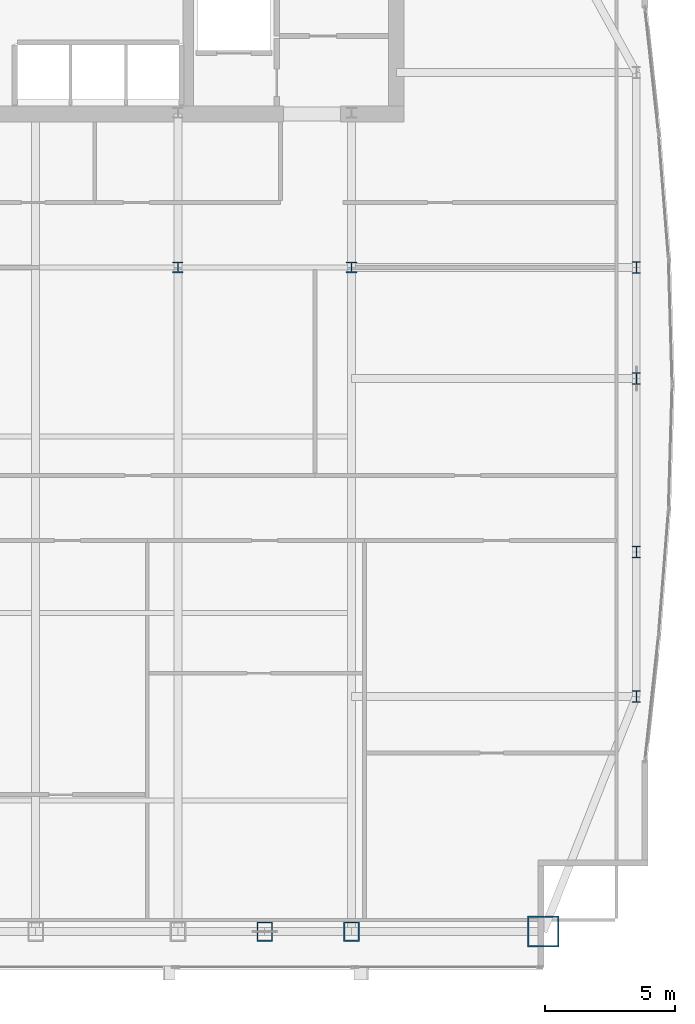
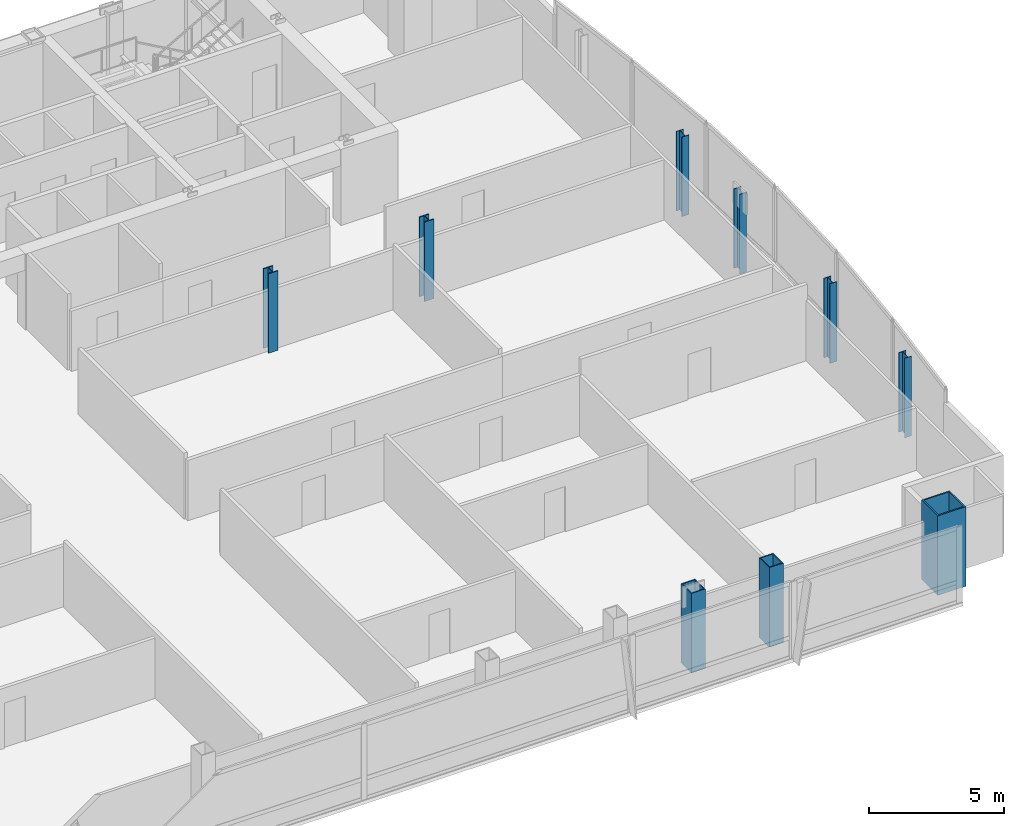
# One storey, part 2 of 32: 9 columns.
"""IFC4 building model written with IfcOpenShell, lengths in metres."""

from ifc_helpers import new_model, si_unit, direction, frame, origin, origin_2d, place, context, subcontext, project, spatial, hollow_rectangle, i_section, extrude, material, material_profile, profile_set, type_object, element, save


model = new_model("IFC4")

# Units and contexts
model_context = context("Model", 3, precision=1e-05, world=origin(), true_north=direction((0.0, 1.0)))
body_context = subcontext(model_context, "Body", "Model", "MODEL_VIEW")
ifc_project = project(units=[si_unit("LENGTHUNIT", "METRE"), si_unit("AREAUNIT", "SQUARE_METRE"), si_unit("VOLUMEUNIT", "CUBIC_METRE"), si_unit("PLANEANGLEUNIT", "RADIAN"), si_unit("MASSUNIT", "GRAM", prefix="KILO")], contexts=[model_context])

# Site, building, storey
site_placement = place(None, origin())
site = spatial("IfcSite", under=ifc_project, at=site_placement, CompositionType="ELEMENT")
building_placement = place(site_placement, origin())
building = spatial("IfcBuilding", under=site, at=building_placement, Name="Khoronbel Lancet Exchange", CompositionType="ELEMENT")
storey_placement = place(building_placement, frame((0.0, 0.0, 195.800048828125)))
storey = spatial("IfcBuildingStorey", under=building, at=storey_placement, Name="L49", CompositionType="ELEMENT", Elevation=195.800048828125)

# Columns
ifc_material_1 = material(Name="Steel S460", Category="steel")
ifc_material_profile_1 = material_profile(ifc_material_1, hollow_rectangle(XDim=0.60009765625, YDim=0.75, WallThickness=0.044921875, at=origin_2d()), Name="BOX 750x600x45")
ifc_profile_set_1 = profile_set([ifc_material_profile_1], Name="Steel S460")
column_type_1 = type_object("IfcColumnType", Name="COL-EC3", PredefinedType="COLUMN", material=ifc_profile_set_1)
for number, where, z_axis, x_axis, name in (
    (1, (51.33740234375, 10.14990234375, 0.0), (0.0, 0.0, 1.0), (1.0, 0.0, 0.0), "Structural column SC-EM L49"),
    (2, (54.675048828125, 10.14990234375, 0.0), (0.0, 0.0, 1.0), (1.0, 0.0, 0.0), "Structural column SC-E2 L49"),
):
    element("IfcColumn", number, at=place(storey_placement, frame(where, z_axis=z_axis, x_axis=x_axis)), inside=storey, type_object=column_type_1, Name=name, PredefinedType="COLUMN", context=body_context, shape_type="SweptSolid", body=[
        extrude(hollow_rectangle(XDim=0.60009765625, YDim=0.75, WallThickness=0.044921875, at=origin_2d()), origin(), (0.0, 0.0, 1.0), 3.599853515625),
    ])
ifc_material_2 = material(Name="Steel S355", Category="steel")
ifc_material_profile_2 = material_profile(ifc_material_2, i_section(OverallWidth=0.406005859375, OverallDepth=0.416015625, WebThickness=0.02978515625, FlangeThickness=0.048095703125, at=origin_2d()), Name="HD 400x382")
ifc_profile_set_2 = profile_set([ifc_material_profile_2], Name="Steel S355")
column_type_2 = type_object("IfcColumnType", Name="COL-IC3", PredefinedType="COLUMN", material=ifc_profile_set_2)
for number, where, z_axis, x_axis, name in (
    (3, (48.0, 35.699951171875, 0.0), (0.0, 0.0, 1.0), (1.0, 0.0, 0.0), "Spine gravity column TC3 L49"),
    (4, (54.675048828125, 35.699951171875, 0.0), (0.0, 0.0, 1.0), (1.0, 0.0, 0.0), "Spine gravity column TC4 L49"),
):
    element("IfcColumn", number, at=place(storey_placement, frame(where, z_axis=z_axis, x_axis=x_axis)), inside=storey, type_object=column_type_2, Name=name, PredefinedType="COLUMN", context=body_context, shape_type="SweptSolid", body=[
        extrude(i_section(OverallWidth=0.406005859375, OverallDepth=0.416015625, WebThickness=0.02978515625, FlangeThickness=0.048095703125, at=origin_2d()), origin(), (0.0, 0.0, 1.0), 3.599853515625),
    ])
ifc_material_profile_3 = material_profile(ifc_material_2, i_section(OverallWidth=0.300048828125, OverallDepth=0.449951171875, WebThickness=0.013916015625, FlangeThickness=0.02587890625, at=origin_2d()), Name="HEB 450")
ifc_profile_set_3 = profile_set([ifc_material_profile_3], Name="Steel S355")
column_type_3 = type_object("IfcColumnType", Name="COL-LC2", PredefinedType="COLUMN", material=ifc_profile_set_3)
for number, where, z_axis, x_axis, name in (
    (5, (65.6298828125, 19.199951171875, 0.0), (0.0, 0.0, 1.0), (1.0, 0.0, 0.0), "Structural column EC-1 L49"),
    (6, (65.6298828125, 24.75, 0.0), (0.0, 0.0, 1.0), (1.0, 0.0, 0.0), "Structural column EC-2 L49"),
    (7, (65.6298828125, 31.425048828125, 0.0), (0.0, 0.0, 1.0), (1.0, 0.0, 0.0), "Structural column EC-M L49"),
    (8, (65.6298828125, 35.699951171875, 0.0), (0.0, 0.0, 1.0), (1.0, 0.0, 0.0), "Structural column EC-3 L49"),
):
    element("IfcColumn", number, at=place(storey_placement, frame(where, z_axis=z_axis, x_axis=x_axis)), inside=storey, type_object=column_type_3, Name=name, PredefinedType="COLUMN", context=body_context, shape_type="SweptSolid", body=[
        extrude(i_section(OverallWidth=0.300048828125, OverallDepth=0.449951171875, WebThickness=0.013916015625, FlangeThickness=0.02587890625, at=origin_2d()), origin(), (0.0, 0.0, 1.0), 3.599853515625),
    ])
ifc_material_profile_4 = material_profile(ifc_material_1, hollow_rectangle(XDim=1.199951171875, YDim=1.199951171875, WallThickness=0.06005859375, at=origin_2d()), Name="BOX 1200x1200x60")
ifc_profile_set_4 = profile_set([ifc_material_profile_4], Name="Steel S460")
column_type_4 = type_object("IfcColumnType", Name="COL-MC5", PredefinedType="COLUMN", material=ifc_profile_set_4)
column_placement = place(storey_placement, frame((62.050048828125, 10.14990234375, 0.0), z_axis=(0.0, 0.0, 1.0), x_axis=(1.0, 0.0, 0.0)))
element("IfcColumn", 9, at=column_placement, inside=storey, type_object=column_type_4, Name="Structural column MC-SE L49", PredefinedType="COLUMN", context=body_context, shape_type="SweptSolid", body=[
    extrude(hollow_rectangle(XDim=1.199951171875, YDim=1.199951171875, WallThickness=0.06005859375, at=origin_2d()), origin(), (0.0, 0.0, 1.0), 3.599853515625),
])

save(model, "model.ifc")
